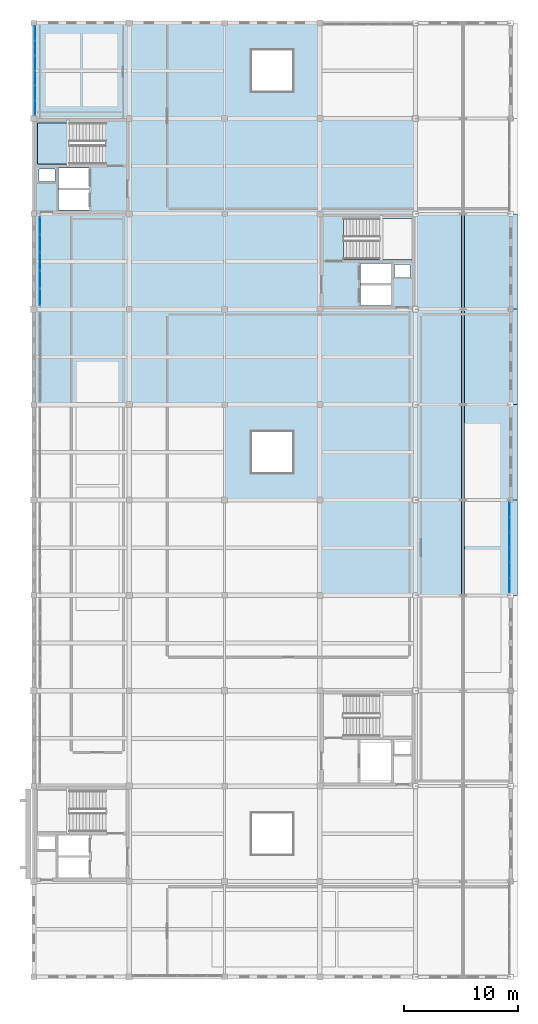
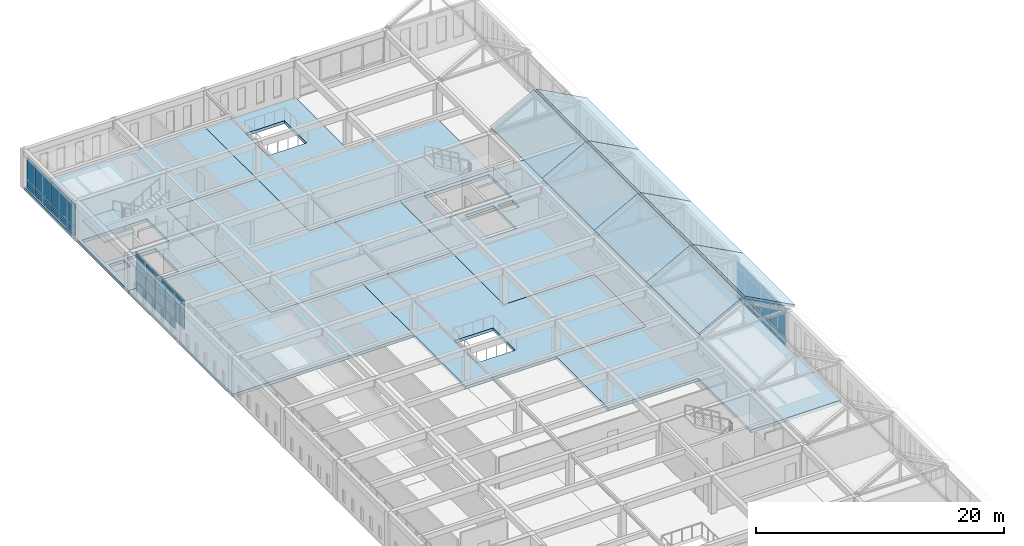
# One storey, part 21 of 36: 44 plates, 15 slabs, 4 elements without a shape of their own.
"""IFC4 building model written with IfcOpenShell, lengths in metres."""

from ifc_helpers import new_model, si_unit, direction, frame, origin, origin_2d, place, context, subcontext, project, spatial, polyline, rectangle, outline, extrude, material, layer, layer_set, type_object, element, aggregate, save


model = new_model("IFC4")

# Units and contexts
model_context = context("Model", 3, precision=1e-05, world=origin(), true_north=direction((0.0, 1.0)))
body_context = subcontext(model_context, "Body", "Model", "MODEL_VIEW")
ifc_project = project(units=[si_unit("LENGTHUNIT", "METRE"), si_unit("AREAUNIT", "SQUARE_METRE"), si_unit("VOLUMEUNIT", "CUBIC_METRE"), si_unit("PLANEANGLEUNIT", "RADIAN"), si_unit("MASSUNIT", "GRAM", prefix="KILO")], contexts=[model_context])

# Site, building, storey
site_placement = place(None, origin())
site = spatial("IfcSite", under=ifc_project, at=site_placement, CompositionType="ELEMENT")
building_placement = place(site_placement, origin())
building = spatial("IfcBuilding", under=site, at=building_placement, Name="Kveldsbrygga Polytechnic", CompositionType="ELEMENT")
storey_placement = place(building_placement, frame((0.0, 0.0, 22.10009765625)))
storey = spatial("IfcBuildingStorey", under=building, at=storey_placement, Name="L05", CompositionType="ELEMENT", Elevation=22.10009765625)

# Curtain wall, plates
ifc_material_1 = material(Name="Anodised aluminium AW-6060", Category="aluminium")
ifc_layer_1 = layer(ifc_material_1, 0.18994140625)
ifc_layer_set_1 = layer_set([ifc_layer_1], Name="Anodised aluminium AW-6060")
curtain_wall_type_1 = type_object("IfcCurtainWallType", Name="CW-REFC-G", PredefinedType="USERDEFINED", material=ifc_layer_set_1)
curtain_wall_1_placement = place(storey_placement, origin())
curtain_wall_1 = element("IfcCurtainWall", 1, at=curtain_wall_1_placement, inside=storey, type_object=curtain_wall_type_1, Name="Curtain Wall CW-L05-Y-15-09", ObjectType="UNITISED CURTAIN WALL", PredefinedType="USERDEFINED")
ifc_material_2 = material(Name="Insulated triple low-E glass", Category="glass")
ifc_layer_2 = layer(ifc_material_2, 0.035888671875)
ifc_layer_set_2 = layer_set([ifc_layer_2], Name="Insulated triple low-E glass")
plate_type = type_object("IfcPlateType", Name="CW-PAN-VIS36", PredefinedType="CURTAIN_PANEL", material=ifc_layer_set_2)
plate_1_placement = place(storey_placement, frame((126.550048828125, 76.669189453125, 0.929931640625), z_axis=(0.0, 0.0, 1.0), x_axis=(0.0, 1.0, 0.0)))
plate_1 = element("IfcPlate", 2, at=plate_1_placement, type_object=plate_type, Name="CW-07 panel 1.2", PredefinedType="CURTAIN_PANEL", context=body_context, shape_type="SweptSolid", body=[
    extrude(rectangle(XDim=1.468505859375, YDim=0.035888671875, at=origin_2d()), origin(), (0.0, 0.0, 1.0), 2.27001953125),
])
plate_2_placement = place(storey_placement, frame((126.550048828125, 76.669189453125, 3.260009765625), z_axis=(0.0, 0.0, 1.0), x_axis=(0.0, 1.0, 0.0)))
plate_2 = element("IfcPlate", 3, at=plate_2_placement, type_object=plate_type, Name="CW-07 panel 1.3", PredefinedType="CURTAIN_PANEL", context=body_context, shape_type="SweptSolid", body=[
    extrude(rectangle(XDim=1.468505859375, YDim=0.035888671875, at=origin_2d()), origin(), (0.0, 0.0, 1.0), 0.4599609375),
])
plate_3_placement = place(storey_placement, frame((126.550048828125, 78.2314453125, 0.059814453125), z_axis=(0.0, 0.0, 1.0), x_axis=(0.0, 1.0, 0.0)))
plate_3 = element("IfcPlate", 4, at=plate_3_placement, type_object=plate_type, Name="CW-07 panel 2.1", PredefinedType="CURTAIN_PANEL", context=body_context, shape_type="SweptSolid", body=[
    extrude(rectangle(XDim=1.506103515625, YDim=0.035888671875, at=origin_2d()), origin(), (0.0, 0.0, 1.0), 0.81005859375),
])
plate_4_placement = place(storey_placement, frame((126.550048828125, 78.2314453125, 0.929931640625), z_axis=(0.0, 0.0, 1.0), x_axis=(0.0, 1.0, 0.0)))
plate_4 = element("IfcPlate", 5, at=plate_4_placement, type_object=plate_type, Name="CW-07 panel 2.2", PredefinedType="CURTAIN_PANEL", context=body_context, shape_type="SweptSolid", body=[
    extrude(rectangle(XDim=1.506103515625, YDim=0.035888671875, at=origin_2d()), origin(), (0.0, 0.0, 1.0), 2.27001953125),
])
plate_5_placement = place(storey_placement, frame((126.550048828125, 78.2314453125, 3.260009765625), z_axis=(0.0, 0.0, 1.0), x_axis=(0.0, 1.0, 0.0)))
plate_5 = element("IfcPlate", 6, at=plate_5_placement, type_object=plate_type, Name="CW-07 panel 2.3", PredefinedType="CURTAIN_PANEL", context=body_context, shape_type="SweptSolid", body=[
    extrude(rectangle(XDim=1.506103515625, YDim=0.035888671875, at=origin_2d()), origin(), (0.0, 0.0, 1.0), 0.4599609375),
])
plate_6_placement = place(storey_placement, frame((126.550048828125, 79.8125, 0.059814453125), z_axis=(0.0, 0.0, 1.0), x_axis=(0.0, 1.0, 0.0)))
plate_6 = element("IfcPlate", 7, at=plate_6_placement, type_object=plate_type, Name="CW-07 panel 3.1", PredefinedType="CURTAIN_PANEL", context=body_context, shape_type="SweptSolid", body=[
    extrude(rectangle(XDim=1.506103515625, YDim=0.035888671875, at=origin_2d()), origin(), (0.0, 0.0, 1.0), 0.81005859375),
])
plate_7_placement = place(storey_placement, frame((126.550048828125, 79.8125, 0.929931640625), z_axis=(0.0, 0.0, 1.0), x_axis=(0.0, 1.0, 0.0)))
plate_7 = element("IfcPlate", 8, at=plate_7_placement, type_object=plate_type, Name="CW-07 panel 3.2", PredefinedType="CURTAIN_PANEL", context=body_context, shape_type="SweptSolid", body=[
    extrude(rectangle(XDim=1.506103515625, YDim=0.035888671875, at=origin_2d()), origin(), (0.0, 0.0, 1.0), 2.27001953125),
])
plate_8_placement = place(storey_placement, frame((126.550048828125, 79.8125, 3.260009765625), z_axis=(0.0, 0.0, 1.0), x_axis=(0.0, 1.0, 0.0)))
plate_8 = element("IfcPlate", 9, at=plate_8_placement, type_object=plate_type, Name="CW-07 panel 3.3", PredefinedType="CURTAIN_PANEL", context=body_context, shape_type="SweptSolid", body=[
    extrude(rectangle(XDim=1.506103515625, YDim=0.035888671875, at=origin_2d()), origin(), (0.0, 0.0, 1.0), 0.4599609375),
])
plate_9_placement = place(storey_placement, frame((126.550048828125, 81.3935546875, 0.059814453125), z_axis=(0.0, 0.0, 1.0), x_axis=(0.0, 1.0, 0.0)))
plate_9 = element("IfcPlate", 10, at=plate_9_placement, type_object=plate_type, Name="CW-07 panel 4.1", PredefinedType="CURTAIN_PANEL", context=body_context, shape_type="SweptSolid", body=[
    extrude(rectangle(XDim=1.506103515625, YDim=0.035888671875, at=origin_2d()), origin(), (0.0, 0.0, 1.0), 0.81005859375),
])
plate_10_placement = place(storey_placement, frame((126.550048828125, 81.3935546875, 0.929931640625), z_axis=(0.0, 0.0, 1.0), x_axis=(0.0, 1.0, 0.0)))
plate_10 = element("IfcPlate", 11, at=plate_10_placement, type_object=plate_type, Name="CW-07 panel 4.2", PredefinedType="CURTAIN_PANEL", context=body_context, shape_type="SweptSolid", body=[
    extrude(rectangle(XDim=1.506103515625, YDim=0.035888671875, at=origin_2d()), origin(), (0.0, 0.0, 1.0), 2.27001953125),
])
plate_11_placement = place(storey_placement, frame((126.550048828125, 81.3935546875, 3.260009765625), z_axis=(0.0, 0.0, 1.0), x_axis=(0.0, 1.0, 0.0)))
plate_11 = element("IfcPlate", 12, at=plate_11_placement, type_object=plate_type, Name="CW-07 panel 4.3", PredefinedType="CURTAIN_PANEL", context=body_context, shape_type="SweptSolid", body=[
    extrude(rectangle(XDim=1.506103515625, YDim=0.035888671875, at=origin_2d()), origin(), (0.0, 0.0, 1.0), 0.4599609375),
])
plate_12_placement = place(storey_placement, frame((126.550048828125, 82.955810546875, 0.059814453125), z_axis=(0.0, 0.0, 1.0), x_axis=(0.0, 1.0, 0.0)))
plate_12 = element("IfcPlate", 13, at=plate_12_placement, type_object=plate_type, Name="CW-07 panel 5.1", PredefinedType="CURTAIN_PANEL", context=body_context, shape_type="SweptSolid", body=[
    extrude(rectangle(XDim=1.468505859375, YDim=0.035888671875, at=origin_2d()), origin(), (0.0, 0.0, 1.0), 0.81005859375),
])
plate_13_placement = place(storey_placement, frame((126.550048828125, 82.955810546875, 0.929931640625), z_axis=(0.0, 0.0, 1.0), x_axis=(0.0, 1.0, 0.0)))
plate_13 = element("IfcPlate", 14, at=plate_13_placement, type_object=plate_type, Name="CW-07 panel 5.2", PredefinedType="CURTAIN_PANEL", context=body_context, shape_type="SweptSolid", body=[
    extrude(rectangle(XDim=1.468505859375, YDim=0.035888671875, at=origin_2d()), origin(), (0.0, 0.0, 1.0), 2.27001953125),
])
plate_14_placement = place(storey_placement, frame((126.550048828125, 82.955810546875, 3.260009765625), z_axis=(0.0, 0.0, 1.0), x_axis=(0.0, 1.0, 0.0)))
plate_14 = element("IfcPlate", 15, at=plate_14_placement, type_object=plate_type, Name="CW-07 panel 5.3", PredefinedType="CURTAIN_PANEL", context=body_context, shape_type="SweptSolid", body=[
    extrude(rectangle(XDim=1.468505859375, YDim=0.035888671875, at=origin_2d()), origin(), (0.0, 0.0, 1.0), 0.4599609375),
])
aggregate(curtain_wall_1, [plate_1, plate_2, plate_3, plate_4, plate_5, plate_6, plate_7, plate_8, plate_9, plate_10, plate_11, plate_12, plate_13, plate_14])

ifc_layer_3 = layer(ifc_material_1, 0.179931640625)
ifc_layer_set_3 = layer_set([ifc_layer_3], Name="Anodised aluminium AW-6060")
curtain_wall_type_2 = type_object("IfcCurtainWallType", Name="CW-CONC-A", PredefinedType="USERDEFINED", material=ifc_layer_set_3)
curtain_wall_2_placement = place(storey_placement, origin())
curtain_wall_2 = element("IfcCurtainWall", 16, at=curtain_wall_2_placement, inside=storey, type_object=curtain_wall_type_2, Name="Curtain Wall CW-L05-Y-15-11", ObjectType="UNITISED CURTAIN WALL", PredefinedType="USERDEFINED")
plate_15_placement = place(storey_placement, frame((126.10009765625, 93.333740234375, 0.059814453125), z_axis=(0.0, 0.0, 1.0), x_axis=(0.0, 1.0, 0.0)))
plate_15 = element("IfcPlate", 17, at=plate_15_placement, type_object=plate_type, Name="CW-01 panel 1.1", PredefinedType="CURTAIN_PANEL", context=body_context, shape_type="SweptSolid", body=[
    extrude(rectangle(XDim=1.2275390625, YDim=0.035888671875, at=origin_2d()), origin(), (0.0, 0.0, 1.0), 0.81005859375),
])
plate_16_placement = place(storey_placement, frame((126.10009765625, 93.333740234375, 0.929931640625), z_axis=(0.0, 0.0, 1.0), x_axis=(0.0, 1.0, 0.0)))
plate_16 = element("IfcPlate", 18, at=plate_16_placement, type_object=plate_type, Name="CW-01 panel 1.2", PredefinedType="CURTAIN_PANEL", context=body_context, shape_type="SweptSolid", body=[
    extrude(rectangle(XDim=1.2275390625, YDim=0.035888671875, at=origin_2d()), origin(), (0.0, 0.0, 1.0), 2.18994140625),
])
plate_17_placement = place(storey_placement, frame((126.10009765625, 94.63623046875, 0.059814453125), z_axis=(0.0, 0.0, 1.0), x_axis=(0.0, 1.0, 0.0)))
plate_17 = element("IfcPlate", 19, at=plate_17_placement, type_object=plate_type, Name="CW-01 panel 2.1", PredefinedType="CURTAIN_PANEL", context=body_context, shape_type="SweptSolid", body=[
    extrude(rectangle(XDim=1.257568359375, YDim=0.035888671875, at=origin_2d()), origin(), (0.0, 0.0, 1.0), 0.81005859375),
])
plate_18_placement = place(storey_placement, frame((126.10009765625, 94.63623046875, 0.929931640625), z_axis=(0.0, 0.0, 1.0), x_axis=(0.0, 1.0, 0.0)))
plate_18 = element("IfcPlate", 20, at=plate_18_placement, type_object=plate_type, Name="CW-01 panel 2.2", PredefinedType="CURTAIN_PANEL", context=body_context, shape_type="SweptSolid", body=[
    extrude(rectangle(XDim=1.257568359375, YDim=0.035888671875, at=origin_2d()), origin(), (0.0, 0.0, 1.0), 2.18994140625),
])
plate_19_placement = place(storey_placement, frame((126.10009765625, 95.953857421875, 0.059814453125), z_axis=(0.0, 0.0, 1.0), x_axis=(0.0, 1.0, 0.0)))
plate_19 = element("IfcPlate", 21, at=plate_19_placement, type_object=plate_type, Name="CW-01 panel 3.1", PredefinedType="CURTAIN_PANEL", context=body_context, shape_type="SweptSolid", body=[
    extrude(rectangle(XDim=1.257568359375, YDim=0.035888671875, at=origin_2d()), origin(), (0.0, 0.0, 1.0), 0.81005859375),
])
plate_20_placement = place(storey_placement, frame((126.10009765625, 95.953857421875, 0.929931640625), z_axis=(0.0, 0.0, 1.0), x_axis=(0.0, 1.0, 0.0)))
plate_20 = element("IfcPlate", 22, at=plate_20_placement, type_object=plate_type, Name="CW-01 panel 3.2", PredefinedType="CURTAIN_PANEL", context=body_context, shape_type="SweptSolid", body=[
    extrude(rectangle(XDim=1.257568359375, YDim=0.035888671875, at=origin_2d()), origin(), (0.0, 0.0, 1.0), 2.18994140625),
])
plate_21_placement = place(storey_placement, frame((126.10009765625, 97.271240234375, 0.059814453125), z_axis=(0.0, 0.0, 1.0), x_axis=(0.0, 1.0, 0.0)))
plate_21 = element("IfcPlate", 23, at=plate_21_placement, type_object=plate_type, Name="CW-01 panel 4.1", PredefinedType="CURTAIN_PANEL", context=body_context, shape_type="SweptSolid", body=[
    extrude(rectangle(XDim=1.257568359375, YDim=0.035888671875, at=origin_2d()), origin(), (0.0, 0.0, 1.0), 0.81005859375),
])
plate_22_placement = place(storey_placement, frame((126.10009765625, 97.271240234375, 0.929931640625), z_axis=(0.0, 0.0, 1.0), x_axis=(0.0, 1.0, 0.0)))
plate_22 = element("IfcPlate", 24, at=plate_22_placement, type_object=plate_type, Name="CW-01 panel 4.2", PredefinedType="CURTAIN_PANEL", context=body_context, shape_type="SweptSolid", body=[
    extrude(rectangle(XDim=1.257568359375, YDim=0.035888671875, at=origin_2d()), origin(), (0.0, 0.0, 1.0), 2.18994140625),
])
plate_23_placement = place(storey_placement, frame((126.10009765625, 98.5888671875, 0.059814453125), z_axis=(0.0, 0.0, 1.0), x_axis=(0.0, 1.0, 0.0)))
plate_23 = element("IfcPlate", 25, at=plate_23_placement, type_object=plate_type, Name="CW-01 panel 5.1", PredefinedType="CURTAIN_PANEL", context=body_context, shape_type="SweptSolid", body=[
    extrude(rectangle(XDim=1.257568359375, YDim=0.035888671875, at=origin_2d()), origin(), (0.0, 0.0, 1.0), 0.81005859375),
])
plate_24_placement = place(storey_placement, frame((126.10009765625, 98.5888671875, 0.929931640625), z_axis=(0.0, 0.0, 1.0), x_axis=(0.0, 1.0, 0.0)))
plate_24 = element("IfcPlate", 26, at=plate_24_placement, type_object=plate_type, Name="CW-01 panel 5.2", PredefinedType="CURTAIN_PANEL", context=body_context, shape_type="SweptSolid", body=[
    extrude(rectangle(XDim=1.257568359375, YDim=0.035888671875, at=origin_2d()), origin(), (0.0, 0.0, 1.0), 2.18994140625),
])
plate_25_placement = place(storey_placement, frame((126.10009765625, 99.891357421875, 0.059814453125), z_axis=(0.0, 0.0, 1.0), x_axis=(0.0, 1.0, 0.0)))
plate_25 = element("IfcPlate", 27, at=plate_25_placement, type_object=plate_type, Name="CW-01 panel 6.1", PredefinedType="CURTAIN_PANEL", context=body_context, shape_type="SweptSolid", body=[
    extrude(rectangle(XDim=1.2275390625, YDim=0.035888671875, at=origin_2d()), origin(), (0.0, 0.0, 1.0), 0.81005859375),
])
plate_26_placement = place(storey_placement, frame((126.10009765625, 99.891357421875, 0.929931640625), z_axis=(0.0, 0.0, 1.0), x_axis=(0.0, 1.0, 0.0)))
plate_26 = element("IfcPlate", 28, at=plate_26_placement, type_object=plate_type, Name="CW-01 panel 6.2", PredefinedType="CURTAIN_PANEL", context=body_context, shape_type="SweptSolid", body=[
    extrude(rectangle(XDim=1.2275390625, YDim=0.035888671875, at=origin_2d()), origin(), (0.0, 0.0, 1.0), 2.18994140625),
])
aggregate(curtain_wall_2, [plate_15, plate_16, plate_17, plate_18, plate_19, plate_20, plate_21, plate_22, plate_23, plate_24, plate_25, plate_26])

curtain_wall_3_placement = place(storey_placement, origin())
curtain_wall_3 = element("IfcCurtainWall", 29, at=curtain_wall_3_placement, inside=storey, type_object=curtain_wall_type_2, Name="Curtain Wall CW-L05-Y-20-06", ObjectType="UNITISED CURTAIN WALL", PredefinedType="USERDEFINED")
plate_27_placement = place(storey_placement, frame((167.89990234375, 51.2919921875, 0.059814453125), z_axis=(0.0, 0.0, 1.0), x_axis=(0.0, 1.0, 0.0)))
plate_27 = element("IfcPlate", 30, at=plate_27_placement, type_object=plate_type, Name="CW-01 panel 1.1", PredefinedType="CURTAIN_PANEL", context=body_context, shape_type="SweptSolid", body=[
    extrude(rectangle(XDim=1.244140625, YDim=0.035888671875, at=origin_2d()), origin(), (0.0, 0.0, 1.0), 0.81005859375),
])
plate_28_placement = place(storey_placement, frame((167.89990234375, 51.2919921875, 0.929931640625), z_axis=(0.0, 0.0, 1.0), x_axis=(0.0, 1.0, 0.0)))
plate_28 = element("IfcPlate", 31, at=plate_28_placement, type_object=plate_type, Name="CW-01 panel 1.2", PredefinedType="CURTAIN_PANEL", context=body_context, shape_type="SweptSolid", body=[
    extrude(rectangle(XDim=1.244140625, YDim=0.035888671875, at=origin_2d()), origin(), (0.0, 0.0, 1.0), 2.27001953125),
])
plate_29_placement = place(storey_placement, frame((167.89990234375, 51.2919921875, 3.260009765625), z_axis=(0.0, 0.0, 1.0), x_axis=(0.0, 1.0, 0.0)))
plate_29 = element("IfcPlate", 32, at=plate_29_placement, type_object=plate_type, Name="CW-01 panel 1.3", PredefinedType="CURTAIN_PANEL", context=body_context, shape_type="SweptSolid", body=[
    extrude(rectangle(XDim=1.244140625, YDim=0.035888671875, at=origin_2d()), origin(), (0.0, 0.0, 1.0), 0.4599609375),
])
plate_30_placement = place(storey_placement, frame((167.89990234375, 52.611328125, 0.059814453125), z_axis=(0.0, 0.0, 1.0), x_axis=(0.0, 1.0, 0.0)))
plate_30 = element("IfcPlate", 33, at=plate_30_placement, type_object=plate_type, Name="CW-01 panel 2.1", PredefinedType="CURTAIN_PANEL", context=body_context, shape_type="SweptSolid", body=[
    extrude(rectangle(XDim=1.274169921875, YDim=0.035888671875, at=origin_2d()), origin(), (0.0, 0.0, 1.0), 0.81005859375),
])
plate_31_placement = place(storey_placement, frame((167.89990234375, 52.611328125, 0.929931640625), z_axis=(0.0, 0.0, 1.0), x_axis=(0.0, 1.0, 0.0)))
plate_31 = element("IfcPlate", 34, at=plate_31_placement, type_object=plate_type, Name="CW-01 panel 2.2", PredefinedType="CURTAIN_PANEL", context=body_context, shape_type="SweptSolid", body=[
    extrude(rectangle(XDim=1.274169921875, YDim=0.035888671875, at=origin_2d()), origin(), (0.0, 0.0, 1.0), 2.27001953125),
])
plate_32_placement = place(storey_placement, frame((167.89990234375, 52.611328125, 3.260009765625), z_axis=(0.0, 0.0, 1.0), x_axis=(0.0, 1.0, 0.0)))
plate_32 = element("IfcPlate", 35, at=plate_32_placement, type_object=plate_type, Name="CW-01 panel 2.3", PredefinedType="CURTAIN_PANEL", context=body_context, shape_type="SweptSolid", body=[
    extrude(rectangle(XDim=1.274169921875, YDim=0.035888671875, at=origin_2d()), origin(), (0.0, 0.0, 1.0), 0.4599609375),
])
plate_33_placement = place(storey_placement, frame((167.89990234375, 53.9453125, 0.059814453125), z_axis=(0.0, 0.0, 1.0), x_axis=(0.0, 1.0, 0.0)))
plate_33 = element("IfcPlate", 36, at=plate_33_placement, type_object=plate_type, Name="CW-01 panel 3.1", PredefinedType="CURTAIN_PANEL", context=body_context, shape_type="SweptSolid", body=[
    extrude(rectangle(XDim=1.274169921875, YDim=0.035888671875, at=origin_2d()), origin(), (0.0, 0.0, 1.0), 0.81005859375),
])
plate_34_placement = place(storey_placement, frame((167.89990234375, 53.9453125, 0.929931640625), z_axis=(0.0, 0.0, 1.0), x_axis=(0.0, 1.0, 0.0)))
plate_34 = element("IfcPlate", 37, at=plate_34_placement, type_object=plate_type, Name="CW-01 panel 3.2", PredefinedType="CURTAIN_PANEL", context=body_context, shape_type="SweptSolid", body=[
    extrude(rectangle(XDim=1.274169921875, YDim=0.035888671875, at=origin_2d()), origin(), (0.0, 0.0, 1.0), 2.27001953125),
])
plate_35_placement = place(storey_placement, frame((167.89990234375, 53.9453125, 3.260009765625), z_axis=(0.0, 0.0, 1.0), x_axis=(0.0, 1.0, 0.0)))
plate_35 = element("IfcPlate", 38, at=plate_35_placement, type_object=plate_type, Name="CW-01 panel 3.3", PredefinedType="CURTAIN_PANEL", context=body_context, shape_type="SweptSolid", body=[
    extrude(rectangle(XDim=1.274169921875, YDim=0.035888671875, at=origin_2d()), origin(), (0.0, 0.0, 1.0), 0.4599609375),
])
plate_36_placement = place(storey_placement, frame((167.89990234375, 55.279541015625, 0.059814453125), z_axis=(0.0, 0.0, 1.0), x_axis=(0.0, 1.0, 0.0)))
plate_36 = element("IfcPlate", 39, at=plate_36_placement, type_object=plate_type, Name="CW-01 panel 4.1", PredefinedType="CURTAIN_PANEL", context=body_context, shape_type="SweptSolid", body=[
    extrude(rectangle(XDim=1.274169921875, YDim=0.035888671875, at=origin_2d()), origin(), (0.0, 0.0, 1.0), 0.81005859375),
])
plate_37_placement = place(storey_placement, frame((167.89990234375, 55.279541015625, 0.929931640625), z_axis=(0.0, 0.0, 1.0), x_axis=(0.0, 1.0, 0.0)))
plate_37 = element("IfcPlate", 40, at=plate_37_placement, type_object=plate_type, Name="CW-01 panel 4.2", PredefinedType="CURTAIN_PANEL", context=body_context, shape_type="SweptSolid", body=[
    extrude(rectangle(XDim=1.274169921875, YDim=0.035888671875, at=origin_2d()), origin(), (0.0, 0.0, 1.0), 2.27001953125),
])
plate_38_placement = place(storey_placement, frame((167.89990234375, 55.279541015625, 3.260009765625), z_axis=(0.0, 0.0, 1.0), x_axis=(0.0, 1.0, 0.0)))
plate_38 = element("IfcPlate", 41, at=plate_38_placement, type_object=plate_type, Name="CW-01 panel 4.3", PredefinedType="CURTAIN_PANEL", context=body_context, shape_type="SweptSolid", body=[
    extrude(rectangle(XDim=1.274169921875, YDim=0.035888671875, at=origin_2d()), origin(), (0.0, 0.0, 1.0), 0.4599609375),
])
plate_39_placement = place(storey_placement, frame((167.89990234375, 56.61376953125, 0.059814453125), z_axis=(0.0, 0.0, 1.0), x_axis=(0.0, 1.0, 0.0)))
plate_39 = element("IfcPlate", 42, at=plate_39_placement, type_object=plate_type, Name="CW-01 panel 5.1", PredefinedType="CURTAIN_PANEL", context=body_context, shape_type="SweptSolid", body=[
    extrude(rectangle(XDim=1.274169921875, YDim=0.035888671875, at=origin_2d()), origin(), (0.0, 0.0, 1.0), 0.81005859375),
])
plate_40_placement = place(storey_placement, frame((167.89990234375, 56.61376953125, 0.929931640625), z_axis=(0.0, 0.0, 1.0), x_axis=(0.0, 1.0, 0.0)))
plate_40 = element("IfcPlate", 43, at=plate_40_placement, type_object=plate_type, Name="CW-01 panel 5.2", PredefinedType="CURTAIN_PANEL", context=body_context, shape_type="SweptSolid", body=[
    extrude(rectangle(XDim=1.274169921875, YDim=0.035888671875, at=origin_2d()), origin(), (0.0, 0.0, 1.0), 2.27001953125),
])
plate_41_placement = place(storey_placement, frame((167.89990234375, 56.61376953125, 3.260009765625), z_axis=(0.0, 0.0, 1.0), x_axis=(0.0, 1.0, 0.0)))
plate_41 = element("IfcPlate", 44, at=plate_41_placement, type_object=plate_type, Name="CW-01 panel 5.3", PredefinedType="CURTAIN_PANEL", context=body_context, shape_type="SweptSolid", body=[
    extrude(rectangle(XDim=1.274169921875, YDim=0.035888671875, at=origin_2d()), origin(), (0.0, 0.0, 1.0), 0.4599609375),
])
plate_42_placement = place(storey_placement, frame((167.89990234375, 57.932861328125, 0.059814453125), z_axis=(0.0, 0.0, 1.0), x_axis=(0.0, 1.0, 0.0)))
plate_42 = element("IfcPlate", 45, at=plate_42_placement, type_object=plate_type, Name="CW-01 panel 6.1", PredefinedType="CURTAIN_PANEL", context=body_context, shape_type="SweptSolid", body=[
    extrude(rectangle(XDim=1.244140625, YDim=0.035888671875, at=origin_2d()), origin(), (0.0, 0.0, 1.0), 0.81005859375),
])
plate_43_placement = place(storey_placement, frame((167.89990234375, 57.932861328125, 0.929931640625), z_axis=(0.0, 0.0, 1.0), x_axis=(0.0, 1.0, 0.0)))
plate_43 = element("IfcPlate", 46, at=plate_43_placement, type_object=plate_type, Name="CW-01 panel 6.2", PredefinedType="CURTAIN_PANEL", context=body_context, shape_type="SweptSolid", body=[
    extrude(rectangle(XDim=1.244140625, YDim=0.035888671875, at=origin_2d()), origin(), (0.0, 0.0, 1.0), 2.27001953125),
])
plate_44_placement = place(storey_placement, frame((167.89990234375, 57.932861328125, 3.260009765625), z_axis=(0.0, 0.0, 1.0), x_axis=(0.0, 1.0, 0.0)))
plate_44 = element("IfcPlate", 47, at=plate_44_placement, type_object=plate_type, Name="CW-01 panel 6.3", PredefinedType="CURTAIN_PANEL", context=body_context, shape_type="SweptSolid", body=[
    extrude(rectangle(XDim=1.244140625, YDim=0.035888671875, at=origin_2d()), origin(), (0.0, 0.0, 1.0), 0.4599609375),
])
aggregate(curtain_wall_3, [plate_27, plate_28, plate_29, plate_30, plate_31, plate_32, plate_33, plate_34, plate_35, plate_36, plate_37, plate_38, plate_39, plate_40, plate_41, plate_42, plate_43, plate_44])

# Slabs
ifc_material_3 = material(Name="Concrete C35/45", Category="concrete")
ifc_layer_4 = layer(ifc_material_3, 0.300048828125)
ifc_layer_set_4 = layer_set([ifc_layer_4], Name="Concrete C35/45")
slab_type_1 = type_object("IfcSlabType", Name="SLB-LAB-300", PredefinedType="FLOOR", material=ifc_layer_set_4)
slab_1_placement = place(storey_placement, frame((0.0, 0.0, -0.300048828125)))
element("IfcSlab", 48, at=slab_1_placement, inside=storey, type_object=slab_type_1, Name="Slab SLB-L05-V4-L03-1", PredefinedType="FLOOR", context=body_context, shape_type="SweptSolid", body=[
    extrude(outline(polyline([(126.0, 67.199951171875), (126.0, 75.60009765625), (126.0, 84.0), (134.39990234375, 84.0), (134.39990234375, 75.60009765625), (142.800048828125, 75.60009765625), (142.800048828125, 67.199951171875), (134.39990234375, 67.199951171875), (126.0, 67.199951171875)])), origin(), (0.0, 0.0, 1.0), 0.300048828125),
])
slab_2_placement = place(storey_placement, frame((0.0, 0.0, -0.300048828125)))
element("IfcSlab", 49, at=slab_2_placement, inside=storey, type_object=slab_type_1, Name="Slab SLB-L05-V4-L05-1", PredefinedType="FLOOR", context=body_context, shape_type="SweptSolid", body=[
    extrude(outline(polyline([(134.39990234375, 75.60009765625), (134.39990234375, 84.0), (134.39990234375, 92.39990234375), (142.800048828125, 92.39990234375), (142.800048828125, 84.0), (151.199951171875, 84.0), (151.199951171875, 75.60009765625), (142.800048828125, 75.60009765625), (134.39990234375, 75.60009765625)])), origin(), (0.0, 0.0, 1.0), 0.300048828125),
])
slab_3_placement = place(storey_placement, frame((0.0, 0.0, -0.300048828125)))
element("IfcSlab", 50, at=slab_3_placement, inside=storey, type_object=slab_type_1, Name="Slab SLB-L05-V4-L08-1", PredefinedType="FLOOR", context=body_context, shape_type="SweptSolid", body=[
    extrude(outline(polyline([(142.800048828125, 58.800048828125), (142.800048828125, 67.199951171875), (142.800048828125, 75.60009765625), (151.199951171875, 75.60009765625), (151.199951171875, 67.199951171875), (159.60009765625, 67.199951171875), (159.60009765625, 58.800048828125), (151.199951171875, 58.800048828125), (142.800048828125, 58.800048828125)]), holes=[polyline([(145.199951171875, 61.199951171875), (148.800048828125, 61.199951171875), (148.800048828125, 64.800048828125), (145.199951171875, 64.800048828125), (145.199951171875, 61.199951171875)])]), origin(), (0.0, 0.0, 1.0), 0.300048828125),
])
slab_4_placement = place(storey_placement, frame((0.0, 0.0, -0.300048828125)))
element("IfcSlab", 51, at=slab_4_placement, inside=storey, type_object=slab_type_1, Name="Slab SLB-L05-V4-L09-1", PredefinedType="FLOOR", context=body_context, shape_type="SweptSolid", body=[
    extrude(outline(polyline([(142.800048828125, 84.0), (142.800048828125, 92.39990234375), (142.800048828125, 100.800048828125), (151.199951171875, 100.800048828125), (151.199951171875, 92.39990234375), (159.60009765625, 92.39990234375), (159.60009765625, 84.0), (151.199951171875, 84.0), (142.800048828125, 84.0)]), holes=[polyline([(145.199951171875, 94.800048828125), (148.800048828125, 94.800048828125), (148.800048828125, 98.39990234375), (145.199951171875, 98.39990234375), (145.199951171875, 94.800048828125)])]), origin(), (0.0, 0.0, 1.0), 0.300048828125),
])
slab_5_placement = place(storey_placement, frame((0.0, 0.0, -0.300048828125)))
element("IfcSlab", 52, at=slab_5_placement, inside=storey, type_object=slab_type_1, Name="Slab SLB-L05-V4-Z6-2", PredefinedType="FLOOR", context=body_context, shape_type="SweptSolid", body=[
    extrude(outline(polyline([(151.199951171875, 50.39990234375), (151.199951171875, 58.800048828125), (159.60009765625, 58.800048828125), (159.60009765625, 67.199951171875), (151.199951171875, 67.199951171875), (151.199951171875, 75.60009765625), (151.199951171875, 84.0), (159.60009765625, 84.0), (168.0, 84.0), (168.0, 75.60009765625), (168.0, 67.199951171875), (168.0, 58.800048828125), (168.0, 50.39990234375), (168.0, 42.0), (159.60009765625, 42.0), (159.60009765625, 50.39990234375), (151.199951171875, 50.39990234375)]), holes=[polyline([(153.27490234375, 80.0), (159.300048828125, 80.0), (159.300048828125, 83.60009765625), (153.27490234375, 83.60009765625), (153.27490234375, 80.0)]), polyline([(154.75, 75.949951171875), (157.449951171875, 75.949951171875), (157.449951171875, 79.64990234375), (154.75, 79.64990234375), (154.75, 75.949951171875)]), polyline([(157.75, 78.449951171875), (159.14990234375, 78.449951171875), (159.14990234375, 79.550048828125), (157.75, 79.550048828125), (157.75, 78.449951171875)])]), origin(), (0.0, 0.0, 1.0), 0.300048828125),
])
slab_6_placement = place(storey_placement, frame((0.0, 0.0, -0.300048828125)))
element("IfcSlab", 53, at=slab_6_placement, inside=storey, type_object=slab_type_1, Name="Slab SLB-L05-V4-Z9-1", PredefinedType="FLOOR", context=body_context, shape_type="SweptSolid", body=[
    extrude(outline(polyline([(126.0, 84.0), (126.0, 92.39990234375), (126.0, 100.800048828125), (134.39990234375, 100.800048828125), (142.800048828125, 100.800048828125), (142.800048828125, 92.39990234375), (134.39990234375, 92.39990234375), (134.39990234375, 84.0), (126.0, 84.0)]), holes=[polyline([(132.324951171875, 92.0), (126.300048828125, 92.0), (126.300048828125, 88.39990234375), (132.324951171875, 88.39990234375), (132.324951171875, 92.0)]), polyline([(128.14990234375, 84.35009765625), (130.85009765625, 84.35009765625), (130.85009765625, 88.050048828125), (128.14990234375, 88.050048828125), (128.14990234375, 84.35009765625)]), polyline([(126.449951171875, 86.85009765625), (127.85009765625, 86.85009765625), (127.85009765625, 87.949951171875), (126.449951171875, 87.949951171875), (126.449951171875, 86.85009765625)])]), origin(), (0.0, 0.0, 1.0), 0.300048828125),
])

# Stair, slab
stair_type = type_object("IfcStairType", Name="STR-CORE-408", PredefinedType="HALF_TURN_STAIR", material=ifc_material_3)
stair_placement = place(storey_placement, origin())
stair = element("IfcStair", 54, at=stair_placement, inside=storey, type_object=stair_type, Name="L05 Core C2 Escape Stair ST-2", PredefinedType="HALF_TURN_STAIR")
ifc_layer_5 = layer(ifc_material_3, 0.199951171875)
ifc_layer_set_5 = layer_set([ifc_layer_5], Name="Concrete C35/45")
slab_type_2 = type_object("IfcSlabType", Name="SLB-LANDING-200", PredefinedType="LANDING", material=ifc_layer_set_5)
slab_7_placement = place(storey_placement, frame((0.0, 0.0, 1.83984375)))
slab_7 = element("IfcSlab", 55, at=slab_7_placement, type_object=slab_type_2, Name="ST-2 landing 1", PredefinedType="LANDING", context=body_context, shape_type="SweptSolid", body=[
    extrude(outline(polyline([(129.159912109375, 92.0), (126.300048828125, 92.0), (126.300048828125, 88.39990234375), (129.159912109375, 88.39990234375), (129.159912109375, 92.0)])), origin(), (0.0, 0.0, 1.0), 0.199951171875),
])
aggregate(stair, [slab_7])

# Slabs
ifc_layer_6 = layer(ifc_material_3, 0.219970703125)
ifc_layer_set_6 = layer_set([ifc_layer_6], Name="Concrete C35/45")
slab_type_3 = type_object("IfcSlabType", Name="SLB-ROOF-220", PredefinedType="ROOF", material=ifc_layer_set_6)
slab_8_placement = place(storey_placement, frame((159.60009765625, 50.39990234375, 4.37548828125), z_axis=(-0.472231668725, 0.0, 0.881474475554), x_axis=(0.881474475554, 0.0, 0.472231668725)))
element("IfcSlab", 56, at=slab_8_placement, inside=storey, type_object=slab_type_3, Name="Pitched Roof Slab V4E6-RSLB-5-1", PredefinedType="ROOF", context=body_context, shape_type="SweptSolid", body=[
    extrude(outline(polyline([(0.0, 0.0), (4.623988382434193, 0.0), (4.623988382434193, 8.400146484375), (0.0, 8.400146484375), (0.0, 0.0)])), origin(), (0.0, 0.0, -1.0), 0.219970703125),
])
slab_9_placement = place(storey_placement, frame((163.923828125, 50.39990234375, 6.55908203125), z_axis=(0.472218858339, 0.0, 0.881481338333), x_axis=(0.881481338333, 0.0, -0.472218858339)))
element("IfcSlab", 57, at=slab_9_placement, inside=storey, type_object=slab_type_3, Name="Pitched Roof Slab V4E6-RSLB-5-2", PredefinedType="ROOF", context=body_context, shape_type="SweptSolid", body=[
    extrude(outline(polyline([(0.0, 0.0), (5.305012514610163, 0.0), (5.305012514610163, 8.400146484375), (0.0, 8.400146484375), (0.0, 0.0)])), origin(), (0.0, 0.0, -1.0), 0.219970703125),
])
slab_10_placement = place(storey_placement, frame((159.60009765625, 58.800048828125, 4.37548828125), z_axis=(-0.472231668725, 0.0, 0.881474475554), x_axis=(0.881474475554, 0.0, 0.472231668725)))
element("IfcSlab", 58, at=slab_10_placement, inside=storey, type_object=slab_type_3, Name="Pitched Roof Slab V4E6-RSLB-6-1", PredefinedType="ROOF", context=body_context, shape_type="SweptSolid", body=[
    extrude(outline(polyline([(0.0, 0.0), (4.623988382434193, 0.0), (4.623988382434193, 8.39990234375), (0.0, 8.39990234375), (0.0, 0.0)])), origin(), (0.0, 0.0, -1.0), 0.219970703125),
])
slab_11_placement = place(storey_placement, frame((163.923828125, 58.800048828125, 6.55908203125), z_axis=(0.472218858339, 0.0, 0.881481338333), x_axis=(0.881481338333, 0.0, -0.472218858339)))
element("IfcSlab", 59, at=slab_11_placement, inside=storey, type_object=slab_type_3, Name="Pitched Roof Slab V4E6-RSLB-6-2", PredefinedType="ROOF", context=body_context, shape_type="SweptSolid", body=[
    extrude(outline(polyline([(0.0, 0.0), (5.305012514610163, 0.0), (5.305012514610163, 8.39990234375), (0.0, 8.39990234375), (0.0, 0.0)])), origin(), (0.0, 0.0, -1.0), 0.219970703125),
])
slab_12_placement = place(storey_placement, frame((159.60009765625, 67.199951171875, 4.37548828125), z_axis=(-0.472231668725, 0.0, 0.881474475554), x_axis=(0.881474475554, 0.0, 0.472231668725)))
element("IfcSlab", 60, at=slab_12_placement, inside=storey, type_object=slab_type_3, Name="Pitched Roof Slab V4E6-RSLB-7-1", PredefinedType="ROOF", context=body_context, shape_type="SweptSolid", body=[
    extrude(outline(polyline([(0.0, 0.0), (4.623988382434193, 0.0), (4.623988382434193, 8.400146484375), (0.0, 8.400146484375), (0.0, 0.0)])), origin(), (0.0, 0.0, -1.0), 0.219970703125),
])
slab_13_placement = place(storey_placement, frame((163.923828125, 67.199951171875, 6.55908203125), z_axis=(0.472218858339, 0.0, 0.881481338333), x_axis=(0.881481338333, 0.0, -0.472218858339)))
element("IfcSlab", 61, at=slab_13_placement, inside=storey, type_object=slab_type_3, Name="Pitched Roof Slab V4E6-RSLB-7-2", PredefinedType="ROOF", context=body_context, shape_type="SweptSolid", body=[
    extrude(outline(polyline([(0.0, 0.0), (5.305012514610163, 0.0), (5.305012514610163, 8.400146484375), (0.0, 8.400146484375), (0.0, 0.0)])), origin(), (0.0, 0.0, -1.0), 0.219970703125),
])
slab_14_placement = place(storey_placement, frame((159.60009765625, 75.60009765625, 4.37548828125), z_axis=(-0.472231668725, 0.0, 0.881474475554), x_axis=(0.881474475554, 0.0, 0.472231668725)))
element("IfcSlab", 62, at=slab_14_placement, inside=storey, type_object=slab_type_3, Name="Pitched Roof Slab V4E6-RSLB-8-1", PredefinedType="ROOF", context=body_context, shape_type="SweptSolid", body=[
    extrude(outline(polyline([(0.0, 0.0), (4.623988382434193, 0.0), (4.623988382434193, 8.39990234375), (0.0, 8.39990234375), (0.0, 0.0)])), origin(), (0.0, 0.0, -1.0), 0.219970703125),
])
slab_15_placement = place(storey_placement, frame((163.923828125, 75.60009765625, 6.55908203125), z_axis=(0.472218858339, 0.0, 0.881481338333), x_axis=(0.881481338333, 0.0, -0.472218858339)))
element("IfcSlab", 63, at=slab_15_placement, inside=storey, type_object=slab_type_3, Name="Pitched Roof Slab V4E6-RSLB-8-2", PredefinedType="ROOF", context=body_context, shape_type="SweptSolid", body=[
    extrude(outline(polyline([(0.0, 0.0), (5.305012514610163, 0.0), (5.305012514610163, 8.39990234375), (0.0, 8.39990234375), (0.0, 0.0)])), origin(), (0.0, 0.0, -1.0), 0.219970703125),
])

save(model, "model.ifc")
